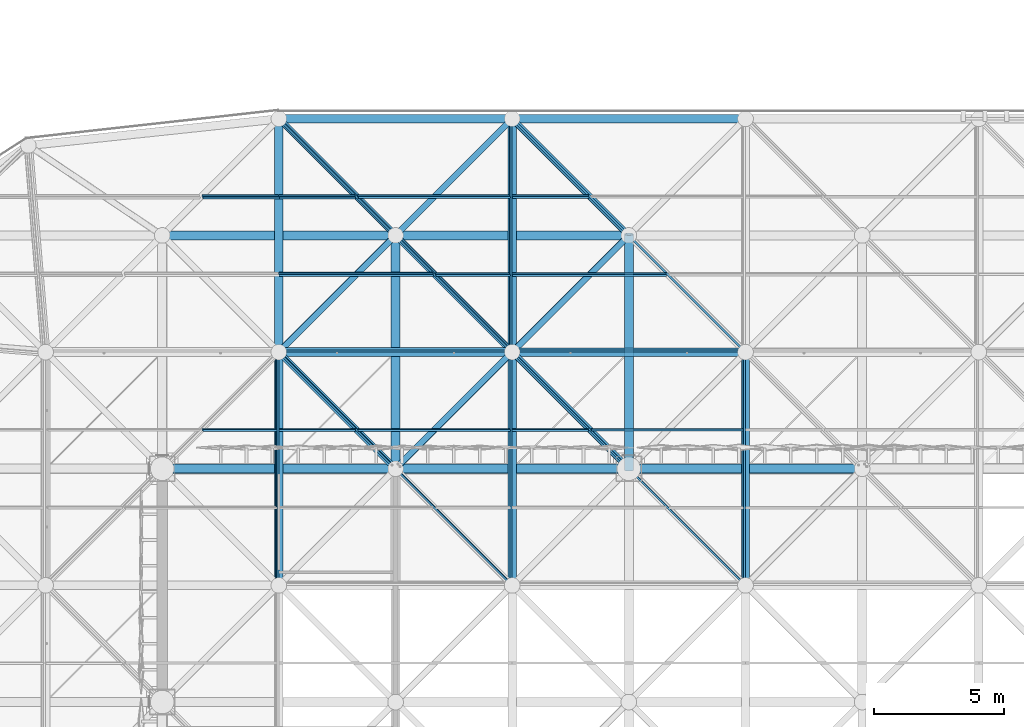
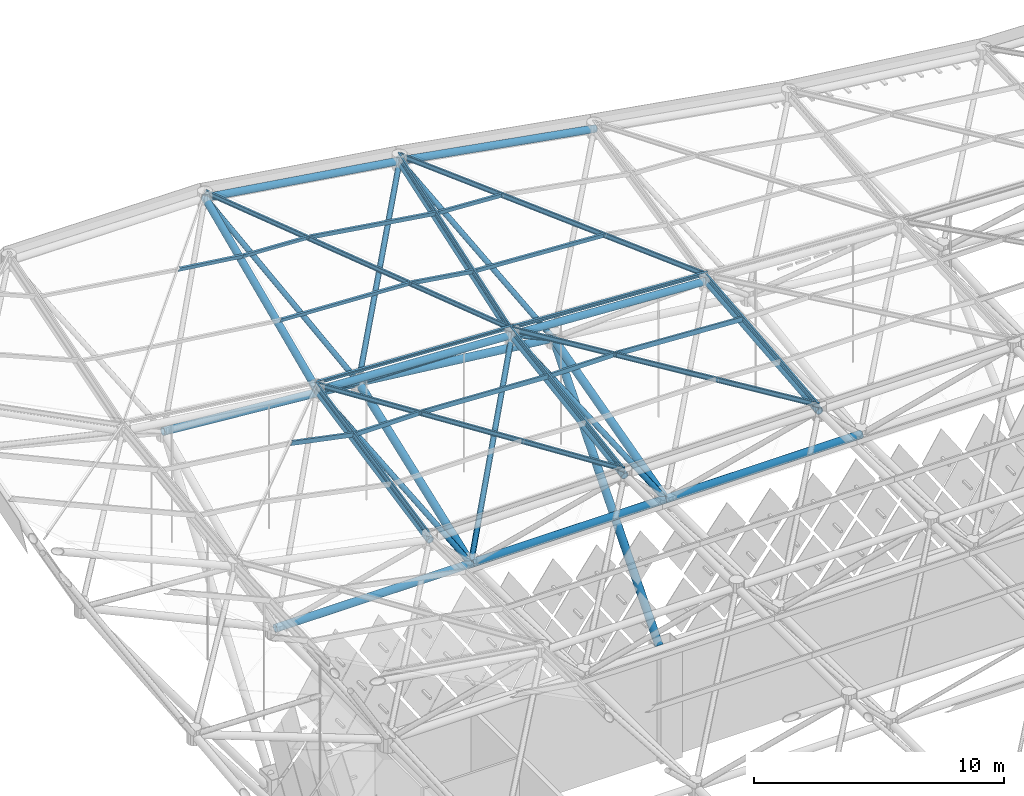
# One storey, part 147 of 437: 48 members.
"""IFC4 building model written with IfcOpenShell, lengths in metres."""

from ifc_helpers import new_model, si_unit, direction, frame, origin, origin_2d, place, context, subcontext, project, spatial, polyline, hollow_circle, outline, extrude, material, material_profile, profile_set, type_object, element, save


model = new_model("IFC4")

# Units and contexts
model_context = context("Model", 3, precision=1e-05, world=origin(), true_north=direction((0.0, 1.0)))
body_context = subcontext(model_context, "Body", "Model", "MODEL_VIEW")
ifc_project = project(units=[si_unit("LENGTHUNIT", "METRE"), si_unit("AREAUNIT", "SQUARE_METRE"), si_unit("VOLUMEUNIT", "CUBIC_METRE"), si_unit("PLANEANGLEUNIT", "RADIAN"), si_unit("MASSUNIT", "GRAM", prefix="KILO")], contexts=[model_context])

# Site, building, storey
site_placement = place(None, origin())
site = spatial("IfcSite", under=ifc_project, at=site_placement, CompositionType="ELEMENT")
building_placement = place(site_placement, origin())
building = spatial("IfcBuilding", under=site, at=building_placement, Name="Opaline Strait Convention Centre", CompositionType="ELEMENT")
storey_placement = place(building_placement, frame((0.0, 0.0, 11.5)))
storey = spatial("IfcBuildingStorey", under=building, at=storey_placement, Name="L02", CompositionType="ELEMENT", Elevation=11.5)

# Members
ifc_material = material(Name="Steel Q355B", Category="steel")
ifc_material_profile_1 = material_profile(ifc_material, hollow_circle(Radius=0.175537109375, WallThickness=0.01611328125, at=origin_2d()), Name="CHS 351x16")
ifc_profile_set_1 = profile_set([ifc_material_profile_1], Name="Steel Q355B")
member_type_1 = type_object("IfcMemberType", Name="Raking prop CHS 351x16", PredefinedType="BRACE", material=ifc_profile_set_1)
member_1_placement = place(storey_placement, frame((117.0, 153.51611328125, 5.0185546875), z_axis=(0.0, 0.651001904669, 0.759076096394), x_axis=(-1.0, 0.0, 0.0)))
element("IfcMember", 1, at=member_1_placement, inside=storey, type_object=member_type_1, Name="Raking prop 117/153 N", PredefinedType="BRACE", context=body_context, shape_type="SweptSolid", body=[
    extrude(hollow_circle(Radius=0.175537109375, WallThickness=0.01611328125, at=origin_2d()), origin(), (0.0, 0.0, 1.0), 13.08203125),
])
ifc_material_profile_2 = material_profile(ifc_material, outline(polyline([(-0.03759765625, -0.125), (0.03759765625, -0.125), (0.03759765625, -0.10498046875), (0.034912109375, -0.10498046875), (0.034912109375, -0.12255859375), (-0.034912109375, -0.12255859375), (-0.034912109375, 0.12255859375), (0.034912109375, 0.12255859375), (0.034912109375, 0.10498046875), (0.03759765625, 0.10498046875), (0.03759765625, 0.125), (-0.03759765625, 0.125), (-0.03759765625, -0.125)])), Name="C 250x75x20x2.5")
ifc_profile_set_2 = profile_set([ifc_material_profile_2], Name="Steel Q355B")
member_type_2 = type_object("IfcMemberType", Name="Roof purlin C 250x75x20x2.5", PredefinedType="PURLIN", material=ifc_profile_set_2)
member_2_placement = place(storey_placement, frame((103.4365234375, 148.449951171875, 18.26318359375), z_axis=(0.0, 0.979783138157, 0.200062495694), x_axis=(-0.980566065775, -0.039250095094, 0.192222841219)))
element("IfcMember", 2, at=member_2_placement, inside=storey, type_object=member_type_2, Name="EXB-RF-E-1-12a", PredefinedType="PURLIN", context=body_context, shape_type="SweptSolid", body=[
    extrude(outline(polyline([(-0.03759765625, -0.125), (0.03759765625, -0.125), (0.03759765625, -0.10498046875), (0.034912109375, -0.10498046875), (0.034912109375, -0.12255859375), (-0.034912109375, -0.12255859375), (-0.034912109375, 0.12255859375), (0.034912109375, 0.12255859375), (0.034912109375, 0.10498046875), (0.03759765625, 0.10498046875), (0.03759765625, 0.125), (-0.03759765625, 0.125), (-0.03759765625, -0.125)])), origin(), (0.0, 0.0, 1.0), 9.287841796875),
])
member_3_placement = place(storey_placement, frame((100.550048828125, 154.5, 20.087890625), z_axis=(0.979785608704, 0.0, -0.200050396093), x_axis=(0.040025613717, 0.97978004307, 0.196033204962)))
element("IfcMember", 3, at=member_3_placement, inside=storey, type_object=member_type_2, Name="EXB-RF-P-1-12-1a", PredefinedType="PURLIN", context=body_context, shape_type="SweptSolid", body=[
    extrude(outline(polyline([(-0.03759765625, -0.125), (0.03759765625, -0.125), (0.03759765625, -0.10498046875), (0.034912109375, -0.10498046875), (0.034912109375, -0.12255859375), (-0.034912109375, -0.12255859375), (-0.034912109375, 0.12255859375), (0.034912109375, 0.12255859375), (0.034912109375, 0.10498046875), (0.03759765625, 0.10498046875), (0.03759765625, 0.125), (-0.03759765625, 0.125), (-0.03759765625, -0.125)])), origin(), (0.0, 0.0, 1.0), 2.91064453125),
])
member_4_placement = place(storey_placement, frame((112.5, 148.5, 18.255615234375), z_axis=(-0.699850097558, 0.699850097558, 0.142897452374), x_axis=(-0.712685495403, -0.697562775149, -0.074064562165)))
element("IfcMember", 4, at=member_4_placement, inside=storey, type_object=member_type_2, Name="EXB-RF-F-2-12", PredefinedType="PURLIN", context=body_context, shape_type="SweptSolid", body=[
    extrude(outline(polyline([(-0.03759765625, -0.125), (0.03759765625, -0.125), (0.03759765625, -0.10498046875), (0.034912109375, -0.10498046875), (0.034912109375, -0.12255859375), (-0.034912109375, -0.12255859375), (-0.034912109375, 0.12255859375), (0.034912109375, 0.12255859375), (0.034912109375, 0.10498046875), (0.03759765625, 0.10498046875), (0.03759765625, 0.125), (-0.03759765625, 0.125), (-0.03759765625, -0.125)])), origin(), (0.0, 0.0, 1.0), 12.85986328125),
])
member_5_placement = place(storey_placement, frame((112.454345703125, 148.449951171875, 18.251953125), z_axis=(0.0, 0.988093016125, 0.153857698814), x_axis=(-0.998854157138, -0.007363297001, 0.047287996623)))
element("IfcMember", 5, at=member_5_placement, inside=storey, type_object=member_type_2, Name="EXB-RF-E-2-12a", PredefinedType="PURLIN", context=body_context, shape_type="SweptSolid", body=[
    extrude(outline(polyline([(-0.03759765625, -0.125), (0.03759765625, -0.125), (0.03759765625, -0.10498046875), (0.034912109375, -0.10498046875), (0.034912109375, -0.12255859375), (-0.034912109375, -0.12255859375), (-0.034912109375, 0.12255859375), (0.034912109375, 0.12255859375), (0.034912109375, 0.10498046875), (0.03759765625, 0.10498046875), (0.03759765625, 0.125), (-0.03759765625, 0.125), (-0.03759765625, -0.125)])), origin(), (0.0, 0.0, 1.0), 9.209716796875),
])
member_6_placement = place(storey_placement, frame((106.550048828125, 154.5, 19.48046875), z_axis=(0.998826020223, 0.0, -0.048441524814), x_axis=(0.007453391796, 0.988092083083, 0.153683057944)))
element("IfcMember", 6, at=member_6_placement, inside=storey, type_object=member_type_2, Name="EXB-RF-P-2-12-1a", PredefinedType="PURLIN", context=body_context, shape_type="SweptSolid", body=[
    extrude(outline(polyline([(-0.03759765625, -0.125), (0.03759765625, -0.125), (0.03759765625, -0.10498046875), (0.034912109375, -0.10498046875), (0.034912109375, -0.12255859375), (-0.034912109375, -0.12255859375), (-0.034912109375, 0.12255859375), (0.034912109375, 0.12255859375), (0.034912109375, 0.10498046875), (0.03759765625, 0.10498046875), (0.03759765625, 0.125), (-0.03759765625, 0.125), (-0.03759765625, -0.125)])), origin(), (0.0, 0.0, 1.0), 5.87646484375),
])
member_7_placement = place(storey_placement, frame((103.5, 154.5, 19.48291015625), z_axis=(1.0, 0.0, 0.0), x_axis=(0.0, 0.97978004307, 0.200077652928)))
element("IfcMember", 7, at=member_7_placement, inside=storey, type_object=member_type_2, Name="EXB-RF-P-2-12-1b", PredefinedType="PURLIN", context=body_context, shape_type="SweptSolid", body=[
    extrude(outline(polyline([(-0.03759765625, -0.125), (0.03759765625, -0.125), (0.03759765625, -0.10498046875), (0.034912109375, -0.10498046875), (0.034912109375, -0.12255859375), (-0.034912109375, -0.12255859375), (-0.034912109375, 0.12255859375), (0.034912109375, 0.12255859375), (0.034912109375, 0.10498046875), (0.03759765625, 0.10498046875), (0.03759765625, 0.125), (-0.03759765625, 0.125), (-0.03759765625, -0.125)])), origin(), (0.0, 0.0, 1.0), 2.949951171875),
])
member_8_placement = place(storey_placement, frame((121.5, 148.5, 18.2548828125), z_axis=(-0.702859440181, 0.702859440181, 0.109440461877), x_axis=(-0.709082248744, -0.704515580248, -0.029328513489)))
element("IfcMember", 8, at=member_8_placement, inside=storey, type_object=member_type_2, Name="EXB-RF-F-3-12", PredefinedType="PURLIN", context=body_context, shape_type="SweptSolid", body=[
    extrude(outline(polyline([(-0.03759765625, -0.125), (0.03759765625, -0.125), (0.03759765625, -0.10498046875), (0.034912109375, -0.10498046875), (0.034912109375, -0.12255859375), (-0.034912109375, -0.12255859375), (-0.034912109375, 0.12255859375), (0.034912109375, 0.12255859375), (0.034912109375, 0.10498046875), (0.03759765625, 0.10498046875), (0.03759765625, 0.125), (-0.03759765625, 0.125), (-0.03759765625, -0.125)])), origin(), (0.0, 0.0, 1.0), 12.804931640625),
])
member_9_placement = place(storey_placement, frame((121.453125, 148.449951171875, 18.255126953125), z_axis=(0.0, 0.99514863855, 0.098382860253), x_axis=(-0.998402930819, -0.005558054974, 0.056220065425)))
element("IfcMember", 9, at=member_9_placement, inside=storey, type_object=member_type_2, Name="EXB-RF-E-3-12a", PredefinedType="PURLIN", context=body_context, shape_type="SweptSolid", body=[
    extrude(outline(polyline([(-0.03759765625, -0.125), (0.03759765625, -0.125), (0.03759765625, -0.10498046875), (0.034912109375, -0.10498046875), (0.034912109375, -0.12255859375), (-0.034912109375, -0.12255859375), (-0.034912109375, 0.12255859375), (0.034912109375, 0.12255859375), (0.034912109375, 0.10498046875), (0.03759765625, 0.10498046875), (0.03759765625, 0.125), (-0.03759765625, 0.125), (-0.03759765625, -0.125)])), origin(), (0.0, 0.0, 1.0), 9.14453125),
])
member_10_placement = place(storey_placement, frame((115.550048828125, 154.5, 19.188720703125), z_axis=(0.998389263673, 0.0, -0.056735158257), x_axis=(0.005581514902, 0.995149078082, 0.09821995258)))
element("IfcMember", 10, at=member_10_placement, inside=storey, type_object=member_type_2, Name="EXB-RF-P-3-12-1a", PredefinedType="PURLIN", context=body_context, shape_type="SweptSolid", body=[
    extrude(outline(polyline([(-0.03759765625, -0.125), (0.03759765625, -0.125), (0.03759765625, -0.10498046875), (0.034912109375, -0.10498046875), (0.034912109375, -0.12255859375), (-0.034912109375, -0.12255859375), (-0.034912109375, 0.12255859375), (0.034912109375, 0.12255859375), (0.034912109375, 0.10498046875), (0.03759765625, 0.10498046875), (0.03759765625, 0.125), (-0.03759765625, 0.125), (-0.03759765625, -0.125)])), origin(), (0.0, 0.0, 1.0), 5.878173828125),
])
member_11_placement = place(storey_placement, frame((112.5, 154.5, 19.191650390625), z_axis=(1.0, 0.0, 0.0), x_axis=(0.0, 0.988092083083, 0.153863690806)))
element("IfcMember", 11, at=member_11_placement, inside=storey, type_object=member_type_2, Name="EXB-RF-P-3-12-1b", PredefinedType="PURLIN", context=body_context, shape_type="SweptSolid", body=[
    extrude(outline(polyline([(-0.03759765625, -0.125), (0.03759765625, -0.125), (0.03759765625, -0.10498046875), (0.034912109375, -0.10498046875), (0.034912109375, -0.12255859375), (-0.034912109375, -0.12255859375), (-0.034912109375, 0.12255859375), (0.034912109375, 0.12255859375), (0.034912109375, 0.10498046875), (0.03759765625, 0.10498046875), (0.03759765625, 0.125), (-0.03759765625, 0.125), (-0.03759765625, -0.125)])), origin(), (0.0, 0.0, 1.0), 2.949951171875),
])
member_12_placement = place(storey_placement, frame((100.550048828125, 163.5, 23.12255859375), z_axis=(0.991632414904, 0.0, -0.12909358509), x_axis=(0.05197819634, 0.915358568875, 0.39927053171)))
element("IfcMember", 12, at=member_12_placement, inside=storey, type_object=member_type_2, Name="EXB-RF-P-1-13-1a", PredefinedType="PURLIN", context=body_context, shape_type="SweptSolid", body=[
    extrude(outline(polyline([(-0.03759765625, -0.125), (0.03759765625, -0.125), (0.03759765625, -0.10498046875), (0.034912109375, -0.10498046875), (0.034912109375, -0.12255859375), (-0.034912109375, -0.12255859375), (-0.034912109375, 0.12255859375), (0.034912109375, 0.12255859375), (0.034912109375, 0.10498046875), (0.03759765625, 0.10498046875), (0.03759765625, 0.125), (-0.03759765625, 0.125), (-0.03759765625, -0.125)])), origin(), (0.0, 0.0, 1.0), 2.974853515625),
])
member_13_placement = place(storey_placement, frame((112.5, 157.5, 19.657958984375), z_axis=(-0.668377219013, 0.668377219013, 0.326410456648), x_axis=(-0.730508511639, -0.672490667051, -0.118800745592)))
element("IfcMember", 13, at=member_13_placement, inside=storey, type_object=member_type_2, Name="EXB-RF-F-2-13", PredefinedType="PURLIN", context=body_context, shape_type="SweptSolid", body=[
    extrude(outline(polyline([(-0.03759765625, -0.125), (0.03759765625, -0.125), (0.03759765625, -0.10498046875), (0.034912109375, -0.10498046875), (0.034912109375, -0.12255859375), (-0.034912109375, -0.12255859375), (-0.034912109375, 0.12255859375), (0.034912109375, 0.12255859375), (0.034912109375, 0.10498046875), (0.03759765625, 0.10498046875), (0.03759765625, 0.125), (-0.03759765625, 0.125), (-0.03759765625, -0.125)])), origin(), (0.0, 0.0, 1.0), 13.46533203125),
])
member_14_placement = place(storey_placement, frame((112.443115234375, 157.449951171875, 19.653564453125), z_axis=(0.0, 0.94707556838, 0.321010697294), x_axis=(-0.990136950451, -0.044974525914, 0.132688022709)))
element("IfcMember", 14, at=member_14_placement, inside=storey, type_object=member_type_2, Name="EXB-RF-E-2-13a", PredefinedType="PURLIN", context=body_context, shape_type="SweptSolid", body=[
    extrude(outline(polyline([(-0.03759765625, -0.125), (0.03759765625, -0.125), (0.03759765625, -0.10498046875), (0.034912109375, -0.10498046875), (0.034912109375, -0.12255859375), (-0.034912109375, -0.12255859375), (-0.034912109375, 0.12255859375), (0.034912109375, 0.12255859375), (0.034912109375, 0.10498046875), (0.03759765625, 0.10498046875), (0.03759765625, 0.125), (-0.03759765625, 0.125), (-0.03759765625, -0.125)])), origin(), (0.0, 0.0, 1.0), 9.608642578125),
])
member_15_placement = place(storey_placement, frame((109.550048828125, 160.5, 21.119384765625), z_axis=(0.989027242431, 0.0, -0.147733251944), x_axis=(0.047424543755, 0.94707421578, 0.317492271488)))
element("IfcMember", 15, at=member_15_placement, inside=storey, type_object=member_type_2, Name="EXB-RF-P-2-13-0a", PredefinedType="PURLIN", context=body_context, shape_type="SweptSolid", body=[
    extrude(outline(polyline([(-0.03759765625, -0.125), (0.03759765625, -0.125), (0.03759765625, -0.10498046875), (0.034912109375, -0.10498046875), (0.034912109375, -0.12255859375), (-0.034912109375, -0.12255859375), (-0.034912109375, 0.12255859375), (0.034912109375, 0.12255859375), (0.034912109375, 0.10498046875), (0.03759765625, 0.10498046875), (0.03759765625, 0.125), (-0.03759765625, 0.125), (-0.03759765625, -0.125)])), origin(), (0.0, 0.0, 1.0), 2.890380859375),
])
member_16_placement = place(storey_placement, frame((106.550048828125, 163.5, 22.58447265625), z_axis=(0.989024150242, 0.0, -0.147753951686), x_axis=(0.047431188677, 0.94707421578, 0.31749127885)))
element("IfcMember", 16, at=member_16_placement, inside=storey, type_object=member_type_2, Name="EXB-RF-P-2-13-1a", PredefinedType="PURLIN", context=body_context, shape_type="SweptSolid", body=[
    extrude(outline(polyline([(-0.03759765625, -0.125), (0.03759765625, -0.125), (0.03759765625, -0.10498046875), (0.034912109375, -0.10498046875), (0.034912109375, -0.12255859375), (-0.034912109375, -0.12255859375), (-0.034912109375, 0.12255859375), (0.034912109375, 0.12255859375), (0.034912109375, 0.10498046875), (0.03759765625, 0.10498046875), (0.03759765625, 0.125), (-0.03759765625, 0.125), (-0.03759765625, -0.125)])), origin(), (0.0, 0.0, 1.0), 5.923583984375),
])
member_17_placement = place(storey_placement, frame((112.550048828125, 157.58837890625, 19.698486328125), z_axis=(-0.99882696864, 0.0, 0.048421965239), x_axis=(-0.019477416429, -0.915532762336, -0.401771566115)))
element("IfcMember", 17, at=member_17_placement, inside=storey, type_object=member_type_2, Name="EXB-RF-E-2-13b", PredefinedType="PURLIN", context=body_context, shape_type="SweptSolid", body=[
    extrude(outline(polyline([(-0.03759765625, -0.125), (0.03759765625, -0.125), (0.03759765625, -0.10498046875), (0.034912109375, -0.10498046875), (0.034912109375, -0.12255859375), (-0.034912109375, -0.12255859375), (-0.034912109375, 0.12255859375), (0.034912109375, 0.12255859375), (0.034912109375, 0.10498046875), (0.03759765625, 0.10498046875), (0.03759765625, 0.125), (-0.03759765625, 0.125), (-0.03759765625, -0.125)])), origin(), (0.0, 0.0, 1.0), 9.11083984375),
])
member_18_placement = place(storey_placement, frame((103.5, 160.5, 21.41796875), z_axis=(0.998827915203, 0.0, -0.048402436004), x_axis=(0.01948874005, 0.915358568875, 0.402167725456)))
element("IfcMember", 18, at=member_18_placement, inside=storey, type_object=member_type_2, Name="EXB-RF-P-2-13-0b", PredefinedType="PURLIN", context=body_context, shape_type="SweptSolid", body=[
    extrude(outline(polyline([(-0.03759765625, -0.125), (0.03759765625, -0.125), (0.03759765625, -0.10498046875), (0.034912109375, -0.10498046875), (0.034912109375, -0.12255859375), (-0.034912109375, -0.12255859375), (-0.034912109375, 0.12255859375), (0.034912109375, 0.12255859375), (0.034912109375, 0.10498046875), (0.03759765625, 0.10498046875), (0.03759765625, 0.125), (-0.03759765625, 0.125), (-0.03759765625, -0.125)])), origin(), (0.0, 0.0, 1.0), 5.95703125),
])
member_19_placement = place(storey_placement, frame((103.5, 163.5, 22.73779296875), z_axis=(0.998826047838, 0.0, -0.048440955395), x_axis=(0.019504249484, 0.915358568875, 0.402166973581)))
element("IfcMember", 19, at=member_19_placement, inside=storey, type_object=member_type_2, Name="EXB-RF-P-2-13-1b", PredefinedType="PURLIN", context=body_context, shape_type="SweptSolid", body=[
    extrude(outline(polyline([(-0.03759765625, -0.125), (0.03759765625, -0.125), (0.03759765625, -0.10498046875), (0.034912109375, -0.10498046875), (0.034912109375, -0.12255859375), (-0.034912109375, -0.12255859375), (-0.034912109375, 0.12255859375), (0.034912109375, 0.12255859375), (0.034912109375, 0.10498046875), (0.03759765625, 0.10498046875), (0.03759765625, 0.125), (-0.03759765625, 0.125), (-0.03759765625, -0.125)])), origin(), (0.0, 0.0, 1.0), 2.953369140625),
])
member_20_placement = place(storey_placement, frame((121.5, 157.5, 19.144287109375), z_axis=(-0.680936695779, 0.680936695779, 0.269537442079), x_axis=(-0.712454430671, -0.701135507774, -0.028595173634)))
element("IfcMember", 20, at=member_20_placement, inside=storey, type_object=member_type_2, Name="EXB-RF-F-3-13", PredefinedType="PURLIN", context=body_context, shape_type="SweptSolid", body=[
    extrude(outline(polyline([(-0.03759765625, -0.125), (0.03759765625, -0.125), (0.03759765625, -0.10498046875), (0.034912109375, -0.10498046875), (0.034912109375, -0.12255859375), (-0.034912109375, -0.12255859375), (-0.034912109375, 0.12255859375), (0.034912109375, 0.12255859375), (0.034912109375, 0.10498046875), (0.03759765625, 0.10498046875), (0.03759765625, 0.125), (-0.03759765625, 0.125), (-0.03759765625, -0.125)])), origin(), (0.0, 0.0, 1.0), 13.217041015625),
])
member_21_placement = place(storey_placement, frame((121.550048828125, 157.578369140625, 19.1728515625), z_axis=(-0.998387986056, 0.0, 0.056757636488), x_axis=(-0.018193669941, -0.947231539522, -0.320033437174)))
element("IfcMember", 21, at=member_21_placement, inside=storey, type_object=member_type_2, Name="EXB-RF-E-3-13b", PredefinedType="PURLIN", context=body_context, shape_type="SweptSolid", body=[
    extrude(outline(polyline([(-0.03759765625, -0.125), (0.03759765625, -0.125), (0.03759765625, -0.10498046875), (0.034912109375, -0.10498046875), (0.034912109375, -0.12255859375), (-0.034912109375, -0.12255859375), (-0.034912109375, 0.12255859375), (0.034912109375, 0.12255859375), (0.034912109375, 0.10498046875), (0.03759765625, 0.10498046875), (0.03759765625, 0.125), (-0.03759765625, 0.125), (-0.03759765625, -0.125)])), origin(), (0.0, 0.0, 1.0), 9.11474609375),
])
member_22_placement = place(storey_placement, frame((112.5, 160.5, 20.677490234375), z_axis=(0.998389085659, 0.0, -0.056738290741), x_axis=(0.01821382469, 0.94707421578, 0.320497560669)))
element("IfcMember", 22, at=member_22_placement, inside=storey, type_object=member_type_2, Name="EXB-RF-P-3-13-0b", PredefinedType="PURLIN", context=body_context, shape_type="SweptSolid", body=[
    extrude(outline(polyline([(-0.03759765625, -0.125), (0.03759765625, -0.125), (0.03759765625, -0.10498046875), (0.034912109375, -0.10498046875), (0.034912109375, -0.12255859375), (-0.034912109375, -0.12255859375), (-0.034912109375, 0.12255859375), (0.034912109375, 0.12255859375), (0.034912109375, 0.10498046875), (0.03759765625, 0.10498046875), (0.03759765625, 0.125), (-0.03759765625, 0.125), (-0.03759765625, -0.125)])), origin(), (0.0, 0.0, 1.0), 5.95947265625),
])
member_23_placement = place(storey_placement, frame((112.5, 163.5, 21.694580078125), z_axis=(0.998387563836, 0.0, -0.05676506301), x_axis=(0.018222418982, 0.94707421578, 0.320497072141)))
element("IfcMember", 23, at=member_23_placement, inside=storey, type_object=member_type_2, Name="EXB-RF-P-3-13-1b", PredefinedType="PURLIN", context=body_context, shape_type="SweptSolid", body=[
    extrude(outline(polyline([(-0.03759765625, -0.125), (0.03759765625, -0.125), (0.03759765625, -0.10498046875), (0.034912109375, -0.10498046875), (0.034912109375, -0.12255859375), (-0.034912109375, -0.12255859375), (-0.034912109375, 0.12255859375), (0.034912109375, 0.12255859375), (0.034912109375, 0.10498046875), (0.03759765625, 0.10498046875), (0.03759765625, 0.125), (-0.03759765625, 0.125), (-0.03759765625, -0.125)])), origin(), (0.0, 0.0, 1.0), 2.954833984375),
])
ifc_material_profile_3 = material_profile(ifc_material, hollow_circle(Radius=0.175537109375, WallThickness=0.01611328125, at=origin_2d()), Name="CHS 351x16")
ifc_profile_set_3 = profile_set([ifc_material_profile_3], Name="Steel Q355B")
member_type_3 = type_object("IfcMemberType", Name="Space frame bottom chord CHS 351x16", PredefinedType="CHORD", material=ifc_profile_set_3)
for number, where, z_axis, x_axis, name in (
    (24, (98.949951171875, 153.0, 12.5), (1.0, 0.0, 0.0), (0.0, 1.0, 0.0), "EXB-RF-BX-1-12"),
    (25, (107.949951171875, 153.0, 12.5), (1.0, 0.0, 0.0), (0.0, 1.0, 0.0), "EXB-RF-BX-2-12"),
    (26, (116.949951171875, 153.0, 12.5), (1.0, 0.0, 0.0), (0.0, 1.0, 0.0), "EXB-RF-BX-3-12"),
):
    element("IfcMember", number, at=place(storey_placement, frame(where, z_axis=z_axis, x_axis=x_axis)), inside=storey, type_object=member_type_3, Name=name, PredefinedType="CHORD", context=body_context, shape_type="SweptSolid", body=[
        extrude(hollow_circle(Radius=0.175537109375, WallThickness=0.01611328125, at=origin_2d()), origin(), (0.0, 0.0, 1.0), 9.10009765625),
    ])
member_24_placement = place(storey_placement, frame((98.9501953125, 162.0, 16.66064453125), z_axis=(0.996499137169, 0.0, -0.083603047916), x_axis=(0.0, 1.0, 0.0)))
element("IfcMember", 27, at=member_24_placement, inside=storey, type_object=member_type_3, Name="EXB-RF-BX-1-13", PredefinedType="CHORD", context=body_context, shape_type="SweptSolid", body=[
    extrude(hollow_circle(Radius=0.175537109375, WallThickness=0.01611328125, at=origin_2d()), origin(), (0.0, 0.0, 1.0), 9.131591796875),
])
member_25_placement = place(storey_placement, frame((107.9501953125, 162.0, 15.906982421875), z_axis=(0.993995425291, 0.0, -0.109421636348), x_axis=(0.0, 1.0, 0.0)))
element("IfcMember", 28, at=member_25_placement, inside=storey, type_object=member_type_3, Name="EXB-RF-BX-2-13", PredefinedType="CHORD", context=body_context, shape_type="SweptSolid", body=[
    extrude(hollow_circle(Radius=0.175537109375, WallThickness=0.01611328125, at=origin_2d()), origin(), (0.0, 0.0, 1.0), 9.154541015625),
])
member_26_placement = place(storey_placement, frame((108.0, 152.953125, 12.482421875), z_axis=(0.0, 0.935426145713, 0.353522171746), x_axis=(-1.0, 0.0, 0.0)))
element("IfcMember", 29, at=member_26_placement, inside=storey, type_object=member_type_3, Name="EXB-RF-BY-2-12", PredefinedType="CHORD", context=body_context, shape_type="SweptSolid", body=[
    extrude(hollow_circle(Radius=0.175537109375, WallThickness=0.01611328125, at=origin_2d()), origin(), (0.0, 0.0, 1.0), 9.721435546875),
])
member_27_placement = place(storey_placement, frame((117.0, 152.95166015625, 12.487060546875), z_axis=(0.0, 0.965943886193, 0.258751635215), x_axis=(-1.0, 0.0, 0.0)))
element("IfcMember", 30, at=member_27_placement, inside=storey, type_object=member_type_3, Name="EXB-RF-BY-3-12", PredefinedType="CHORD", context=body_context, shape_type="SweptSolid", body=[
    extrude(hollow_circle(Radius=0.175537109375, WallThickness=0.01611328125, at=origin_2d()), origin(), (0.0, 0.0, 1.0), 9.41748046875),
])
ifc_material_profile_4 = material_profile(ifc_material, hollow_circle(Radius=0.16259765625, WallThickness=0.013916015625, at=origin_2d()), Name="CHS 325x14")
ifc_profile_set_4 = profile_set([ifc_material_profile_4], Name="Steel Q355B")
member_type_4 = type_object("IfcMemberType", Name="Space frame top chord CHS 325x14", PredefinedType="CHORD", material=ifc_profile_set_4)
member_28_placement = place(storey_placement, frame((103.450439453125, 166.5, 23.775634765625), z_axis=(0.989023771129, 0.0, -0.147756489339), x_axis=(0.0, 1.0, 0.0)))
element("IfcMember", 31, at=member_28_placement, inside=storey, type_object=member_type_4, Name="EXB-RF-TX-2-14", PredefinedType="CHORD", context=body_context, shape_type="SweptSolid", body=[
    extrude(hollow_circle(Radius=0.16259765625, WallThickness=0.013916015625, at=origin_2d()), origin(), (0.0, 0.0, 1.0), 9.2001953125),
])
ifc_material_profile_5 = material_profile(ifc_material, hollow_circle(Radius=0.16259765625, WallThickness=0.02001953125, at=origin_2d()), Name="CHS 325x20")
ifc_profile_set_5 = profile_set([ifc_material_profile_5], Name="Steel Q355B")
member_type_5 = type_object("IfcMemberType", Name="Space frame top chord CHS 325x20", PredefinedType="CHORD", material=ifc_profile_set_5)
member_29_placement = place(storey_placement, frame((103.449951171875, 157.5, 19.811767578125), z_axis=(0.99882696864, 0.0, -0.048421965239), x_axis=(0.0, 1.0, 0.0)))
element("IfcMember", 32, at=member_29_placement, inside=storey, type_object=member_type_5, Name="EXB-RF-TX-2-13", PredefinedType="CHORD", context=body_context, shape_type="SweptSolid", body=[
    extrude(hollow_circle(Radius=0.16259765625, WallThickness=0.02001953125, at=origin_2d()), origin(), (0.0, 0.0, 1.0), 9.11083984375),
])
member_30_placement = place(storey_placement, frame((112.4501953125, 157.5, 19.375732421875), z_axis=(0.998387813469, 0.0, -0.056760672267), x_axis=(0.0, 1.0, 0.0)))
element("IfcMember", 33, at=member_30_placement, inside=storey, type_object=member_type_5, Name="EXB-RF-TX-3-13", PredefinedType="CHORD", context=body_context, shape_type="SweptSolid", body=[
    extrude(hollow_circle(Radius=0.16259765625, WallThickness=0.02001953125, at=origin_2d()), origin(), (0.0, 0.0, 1.0), 9.1142578125),
])
member_31_placement = place(storey_placement, frame((112.45068359375, 166.5, 22.43212890625), z_axis=(0.984849995483, 0.0, -0.17340843808), x_axis=(0.0, 1.0, 0.0)))
element("IfcMember", 34, at=member_31_placement, inside=storey, type_object=member_type_5, Name="EXB-RF-TX-3-14", PredefinedType="CHORD", context=body_context, shape_type="SweptSolid", body=[
    extrude(hollow_circle(Radius=0.16259765625, WallThickness=0.02001953125, at=origin_2d()), origin(), (0.0, 0.0, 1.0), 9.238525390625),
])
member_32_placement = place(storey_placement, frame((103.5, 148.450927734375, 17.96142578125), z_axis=(0.0, 0.979779873088, 0.200078485327), x_axis=(-1.0, 0.0, 0.0)))
element("IfcMember", 35, at=member_32_placement, inside=storey, type_object=member_type_5, Name="EXB-RF-TY-2-12", PredefinedType="CHORD", context=body_context, shape_type="SweptSolid", body=[
    extrude(hollow_circle(Radius=0.16259765625, WallThickness=0.02001953125, at=origin_2d()), origin(), (0.0, 0.0, 1.0), 9.285888671875),
])
member_33_placement = place(storey_placement, frame((103.5, 157.454345703125, 19.789306640625), z_axis=(0.0, 0.915357797375, 0.402641407192), x_axis=(-1.0, 0.0, 0.0)))
element("IfcMember", 36, at=member_33_placement, inside=storey, type_object=member_type_5, Name="EXB-RF-TY-2-13", PredefinedType="CHORD", context=body_context, shape_type="SweptSolid", body=[
    extrude(hollow_circle(Radius=0.16259765625, WallThickness=0.02001953125, at=origin_2d()), origin(), (0.0, 0.0, 1.0), 9.931884765625),
])
member_34_placement = place(storey_placement, frame((112.5, 148.45068359375, 17.9638671875), z_axis=(0.0, 0.988093281059, 0.15385599737), x_axis=(-1.0, 0.0, 0.0)))
element("IfcMember", 37, at=member_34_placement, inside=storey, type_object=member_type_5, Name="EXB-RF-TY-3-12", PredefinedType="CHORD", context=body_context, shape_type="SweptSolid", body=[
    extrude(hollow_circle(Radius=0.16259765625, WallThickness=0.02001953125, at=origin_2d()), origin(), (0.0, 0.0, 1.0), 9.208251953125),
])
member_35_placement = place(storey_placement, frame((112.5, 157.45263671875, 19.35693359375), z_axis=(0.0, 0.947072036929, 0.321021115921), x_axis=(-1.0, 0.0, 0.0)))
element("IfcMember", 38, at=member_35_placement, inside=storey, type_object=member_type_5, Name="EXB-RF-TY-3-13", PredefinedType="CHORD", context=body_context, shape_type="SweptSolid", body=[
    extrude(hollow_circle(Radius=0.16259765625, WallThickness=0.02001953125, at=origin_2d()), origin(), (0.0, 0.0, 1.0), 9.60302734375),
])
member_36_placement = place(storey_placement, frame((121.5, 148.4501953125, 17.966552734375), z_axis=(0.0, 0.995148121675, 0.098388088334), x_axis=(-1.0, 0.0, 0.0)))
element("IfcMember", 39, at=member_36_placement, inside=storey, type_object=member_type_5, Name="EXB-RF-TY-4-12", PredefinedType="CHORD", context=body_context, shape_type="SweptSolid", body=[
    extrude(hollow_circle(Radius=0.16259765625, WallThickness=0.02001953125, at=origin_2d()), origin(), (0.0, 0.0, 1.0), 9.14404296875),
])
ifc_material_profile_6 = material_profile(ifc_material, hollow_circle(Radius=0.12255859375, WallThickness=0.011962890625, at=origin_2d()), Name="CHS 245x12")
ifc_profile_set_6 = profile_set([ifc_material_profile_6], Name="Steel Q355B")
member_type_6 = type_object("IfcMemberType", Name="Space frame web CHS 245x12", PredefinedType="BRACE", material=ifc_profile_set_6)
member_37_placement = place(storey_placement, frame((103.476806640625, 157.523193359375, 19.84716796875), z_axis=(0.464318393321, -0.464318393321, -0.754199482396), x_axis=(0.707106781187, 0.707106781187, 0.0)))
element("IfcMember", 40, at=member_37_placement, inside=storey, type_object=member_type_6, Name="EXB-RF-W-2-12-01", PredefinedType="BRACE", context=body_context, shape_type="SweptSolid", body=[
    extrude(hollow_circle(Radius=0.12255859375, WallThickness=0.011962890625, at=origin_2d()), origin(), (0.0, 0.0, 1.0), 9.79150390625),
])
member_38_placement = place(storey_placement, frame((112.52392578125, 157.52392578125, 19.40966796875), z_axis=(-0.480409370333, -0.480409370333, -0.733766770706), x_axis=(0.707106781187, -0.707106781187, 0.0)))
element("IfcMember", 41, at=member_38_placement, inside=storey, type_object=member_type_6, Name="EXB-RF-W-2-12-11", PredefinedType="BRACE", context=body_context, shape_type="SweptSolid", body=[
    extrude(hollow_circle(Radius=0.12255859375, WallThickness=0.011962890625, at=origin_2d()), origin(), (0.0, 0.0, 1.0), 9.466552734375),
])
member_39_placement = place(storey_placement, frame((103.469970703125, 157.469970703125, 19.83544921875), z_axis=(0.60256121026, 0.60256121026, -0.523297215528), x_axis=(-0.707106781187, 0.707106781187, 0.0)))
element("IfcMember", 42, at=member_39_placement, inside=storey, type_object=member_type_6, Name="EXB-RF-W-2-13-00", PredefinedType="BRACE", context=body_context, shape_type="SweptSolid", body=[
    extrude(hollow_circle(Radius=0.12255859375, WallThickness=0.011962890625, at=origin_2d()), origin(), (0.0, 0.0, 1.0), 7.56787109375),
])
member_40_placement = place(storey_placement, frame((103.477783203125, 166.522216796875, 23.80712890625), z_axis=(0.444721060586, -0.444721060586, -0.777461482353), x_axis=(0.707106781187, 0.707106781187, 0.0)))
element("IfcMember", 43, at=member_40_placement, inside=storey, type_object=member_type_6, Name="EXB-RF-W-2-13-01", PredefinedType="BRACE", context=body_context, shape_type="SweptSolid", body=[
    extrude(hollow_circle(Radius=0.12255859375, WallThickness=0.011962890625, at=origin_2d()), origin(), (0.0, 0.0, 1.0), 10.218505859375),
])
member_41_placement = place(storey_placement, frame((112.531005859375, 157.468994140625, 19.39697265625), z_axis=(-0.620747928785, 0.620747928785, -0.478898755291), x_axis=(-0.707106781187, -0.707106781187, 0.0)))
element("IfcMember", 44, at=member_41_placement, inside=storey, type_object=member_type_6, Name="EXB-RF-W-2-13-10", PredefinedType="BRACE", context=body_context, shape_type="SweptSolid", body=[
    extrude(hollow_circle(Radius=0.12255859375, WallThickness=0.011962890625, at=origin_2d()), origin(), (0.0, 0.0, 1.0), 7.34912109375),
])
member_42_placement = place(storey_placement, frame((112.524658203125, 166.524658203125, 22.459228515625), z_axis=(-0.493829497226, -0.493829497226, -0.715726802167), x_axis=(0.707106781187, -0.707106781187, 0.0)))
element("IfcMember", 45, at=member_42_placement, inside=storey, type_object=member_type_6, Name="EXB-RF-W-2-13-11", PredefinedType="BRACE", context=body_context, shape_type="SweptSolid", body=[
    extrude(hollow_circle(Radius=0.12255859375, WallThickness=0.011962890625, at=origin_2d()), origin(), (0.0, 0.0, 1.0), 9.21240234375),
])
member_43_placement = place(storey_placement, frame((112.47607421875, 157.52392578125, 19.40966796875), z_axis=(0.480409370333, -0.480409370333, -0.733766770706), x_axis=(0.707106781187, 0.707106781187, 0.0)))
element("IfcMember", 46, at=member_43_placement, inside=storey, type_object=member_type_6, Name="EXB-RF-W-3-12-01", PredefinedType="BRACE", context=body_context, shape_type="SweptSolid", body=[
    extrude(hollow_circle(Radius=0.12255859375, WallThickness=0.011962890625, at=origin_2d()), origin(), (0.0, 0.0, 1.0), 9.466552734375),
])
member_44_placement = place(storey_placement, frame((112.470947265625, 157.470947265625, 19.401611328125), z_axis=(0.578978904854, 0.578978904854, -0.574079136939), x_axis=(-0.707106781187, 0.707106781187, 0.0)))
element("IfcMember", 47, at=member_44_placement, inside=storey, type_object=member_type_6, Name="EXB-RF-W-3-13-00", PredefinedType="BRACE", context=body_context, shape_type="SweptSolid", body=[
    extrude(hollow_circle(Radius=0.12255859375, WallThickness=0.011962890625, at=origin_2d()), origin(), (0.0, 0.0, 1.0), 7.87255859375),
])
member_45_placement = place(storey_placement, frame((112.47705078125, 166.52294921875, 22.461669921875), z_axis=(0.457053151729, -0.457053151729, -0.763023481283), x_axis=(0.707106781187, 0.707106781187, 0.0)))
element("IfcMember", 48, at=member_45_placement, inside=storey, type_object=member_type_6, Name="EXB-RF-W-3-13-01", PredefinedType="BRACE", context=body_context, shape_type="SweptSolid", body=[
    extrude(hollow_circle(Radius=0.12255859375, WallThickness=0.011962890625, at=origin_2d()), origin(), (0.0, 0.0, 1.0), 9.946044921875),
])

save(model, "model.ifc")
